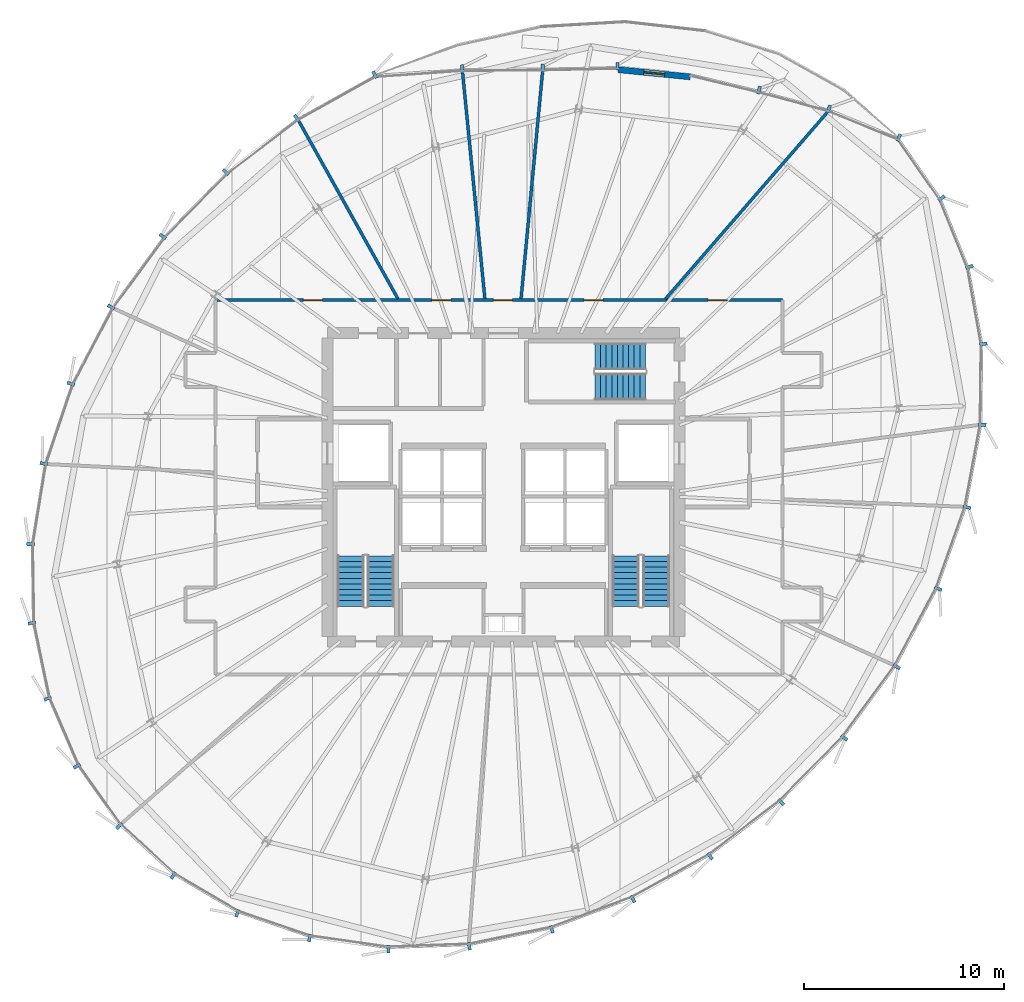
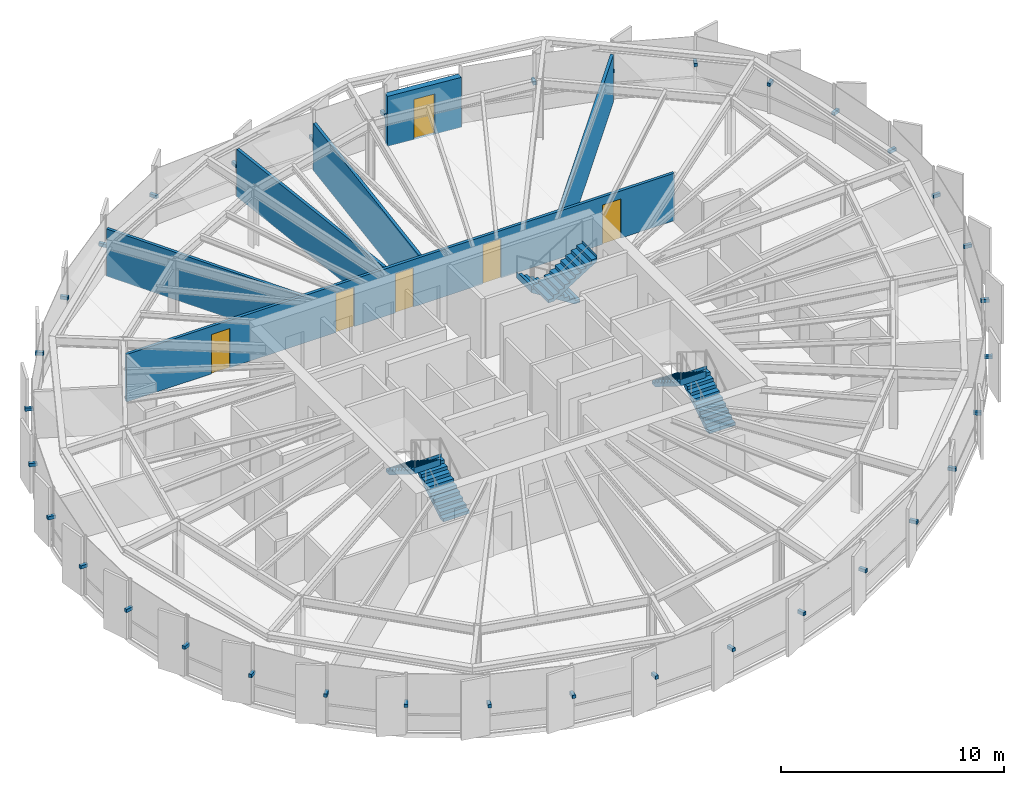
# One storey, part 34 of 37: 35 discrete accessories, 6 doors, 6 stair flights, 6 walls, 6 openings, 3 elements without a shape of their own.
"""IFC4 building model written with IfcOpenShell, lengths in metres."""

from ifc_helpers import new_model, si_unit, direction, frame, frame_2d, origin, origin_2d, place, context, subcontext, project, spatial, polyline, rectangle, outline, extrude, source, transform, mapped, material, layer, layer_set, type_object, element, fill, aggregate, save


model = new_model("IFC4")

# Units and contexts
model_context = context("Model", 3, precision=1e-05, world=origin(), true_north=direction((0.0, 1.0)))
body_context = subcontext(model_context, "Body", "Model", "MODEL_VIEW")
ifc_project = project(units=[si_unit("LENGTHUNIT", "METRE"), si_unit("AREAUNIT", "SQUARE_METRE"), si_unit("VOLUMEUNIT", "CUBIC_METRE"), si_unit("PLANEANGLEUNIT", "RADIAN"), si_unit("MASSUNIT", "GRAM", prefix="KILO"), si_unit("THERMODYNAMICTEMPERATUREUNIT", "KELVIN")], contexts=[model_context])

# Site, building, storey
site_placement = place(None, origin())
site = spatial("IfcSite", under=ifc_project, at=site_placement, CompositionType="ELEMENT")
building_placement = place(site_placement, origin())
building = spatial("IfcBuilding", under=site, at=building_placement, Name="Kethvar Cultural Tower", CompositionType="ELEMENT")
storey_placement = place(building_placement, frame((0.0, 0.0, 200.89990234375)))
storey = spatial("IfcBuildingStorey", under=building, at=storey_placement, Name="L52", CompositionType="ELEMENT", Elevation=200.89990234375)

# Wall, opening, door
ifc_material_1 = material(Name="Concrete C40/50", Category="concrete")
ifc_layer_1 = layer(ifc_material_1, 0.300048828125, Name="Concrete C40/50", Category="concrete")
ifc_layer_set_1 = layer_set([ifc_layer_1], Name="Concrete C40/50 (300 mm)")
wall_type_1 = type_object("IfcWallType", Name="WL-EXT-TER-300", PredefinedType="SOLIDWALL", material=ifc_layer_set_1)
wall_1_placement = place(storey_placement, frame((52.52880859375, 48.6708984375, 0.0), z_axis=(0.0, 0.0, 1.0), x_axis=(0.995043844686, -0.099437151776, 0.0)))
wall_1 = element("IfcWall", 1, at=wall_1_placement, inside=storey, type_object=wall_type_1, Name="L52 Sky Terrace Access Wall", PredefinedType="SOLIDWALL", context=body_context, shape_type="SweptSolid", body=[
    extrude(rectangle(XDim=3.63134765625, YDim=0.300048828125, at=frame_2d((1.815673828125, 0.0))), origin(), (0.0, 0.0, 1.0), 2.735107421875),
])
opening_1_placement = place(wall_1_placement, frame((1.29052734375, 0.0, 0.0)))
opening_1 = element("IfcOpeningElement", 2, at=opening_1_placement, cuts=wall_1, Name="Opening D-L52-T1", PredefinedType="OPENING", context=body_context, shape_type="SweptSolid", body=[
    extrude(rectangle(XDim=1.050048828125, YDim=2.199951171875, at=frame_2d((0.52490234375, 1.10009765625))), frame((0.0, 0.159912109375, 0.0), z_axis=(0.0, -1.0, 0.0), x_axis=(1.0, 0.0, 0.0)), (0.0, 0.0, 1.0), 0.320068359375),
])
ifc_material_2 = material(Name="Aluminium 6063-T6", Category="aluminium")
door_type_1 = type_object("IfcDoorType", Name="DR-EXT-TER-1050", OperationType="NOTDEFINED", PredefinedType="DOOR", material=ifc_material_2)
shared_shape_1 = source(origin(), body_context, "Body", "SweptSolid", [
    extrude(rectangle(XDim=1.050048828125, YDim=2.199951171875, at=frame_2d((0.52490234375, 1.10009765625))), frame((0.0, 0.02490234375, 0.0), z_axis=(0.0, -1.0, 0.0), x_axis=(1.0, 0.0, 0.0)), (0.0, 0.0, 1.0), 0.050048828125),
])
door_1_placement = place(opening_1_placement, origin())
door_1 = element("IfcDoor", 3, at=door_1_placement, inside=storey, type_object=door_type_1, Name="L52 Sky Terrace Access Door D-L52-T1", OperationType="SINGLE_SWING_RIGHT", OverallHeight=2.199951171875, OverallWidth=1.050048828125, PredefinedType="DOOR", context=body_context, shape_type="MappedRepresentation", body=[
    mapped(shared_shape_1, transform((0.0, 0.0, 0.0), scale=1.0)),
])
fill(opening_1, door_1)

# Wall, openings, doors
ifc_material_3 = material(Name="Gypsum Fireboard Partition")
ifc_layer_2 = layer(ifc_material_3, 0.14990234375, Name="Gypsum Fireboard Partition")
ifc_layer_set_2 = layer_set([ifc_layer_2], Name="Gypsum Fireboard Partition (150 mm)")
wall_type_2 = type_object("IfcWallType", Name="WL-FIRE-150", PredefinedType="PARTITIONING", material=ifc_layer_set_2)
wall_2_placement = place(storey_placement, frame((60.75, 37.14990234375, 0.0), z_axis=(0.0, 0.0, 1.0), x_axis=(-1.0, 0.0, 0.0)))
wall_2 = element("IfcWall", 4, at=wall_2_placement, inside=storey, type_object=wall_type_2, Name="L52 Corridor Rated Wall N", PredefinedType="PARTITIONING", context=body_context, shape_type="SweptSolid", body=[
    extrude(rectangle(XDim=28.35009765625, YDim=0.14990234375, at=frame_2d((14.175048828125, 0.0))), origin(), (0.0, 0.0, 1.0), 2.59521484375),
])
opening_2_placement = place(wall_2_placement, frame((2.765869140625, 0.0, 0.0)))
opening_2 = element("IfcOpeningElement", 5, at=opening_2_placement, cuts=wall_2, Name="Opening D-L52-05", PredefinedType="OPENING", context=body_context, shape_type="SweptSolid", body=[
    extrude(rectangle(XDim=0.949951171875, YDim=2.14990234375, at=frame_2d((0.47509765625, 1.074951171875))), frame((0.0, 0.0849609375, 0.0), z_axis=(0.0, -1.0, 0.0), x_axis=(1.0, 0.0, 0.0)), (0.0, 0.0, 1.0), 0.169921875),
])
opening_3_placement = place(wall_2_placement, frame((8.96826171875, 0.0, 0.0)))
opening_3 = element("IfcOpeningElement", 6, at=opening_3_placement, cuts=wall_2, Name="Opening D-L52-06", PredefinedType="OPENING", context=body_context, shape_type="SweptSolid", body=[
    extrude(rectangle(XDim=0.949951171875, YDim=2.14990234375, at=frame_2d((0.47509765625, 1.074951171875))), frame((0.0, 0.0849609375, 0.0), z_axis=(0.0, -1.0, 0.0), x_axis=(1.0, 0.0, 0.0)), (0.0, 0.0, 1.0), 0.169921875),
])
opening_4_placement = place(wall_2_placement, frame((13.496337890625, 0.0, 0.0)))
opening_4 = element("IfcOpeningElement", 7, at=opening_4_placement, cuts=wall_2, Name="Opening D-L52-07", PredefinedType="OPENING", context=body_context, shape_type="SweptSolid", body=[
    extrude(rectangle(XDim=0.949951171875, YDim=2.14990234375, at=frame_2d((0.47509765625, 1.074951171875))), frame((0.0, 0.0849609375, 0.0), z_axis=(0.0, -1.0, 0.0), x_axis=(1.0, 0.0, 0.0)), (0.0, 0.0, 1.0), 0.169921875),
])
opening_5_placement = place(wall_2_placement, frame((16.5712890625, 0.0, 0.0)))
opening_5 = element("IfcOpeningElement", 8, at=opening_5_placement, cuts=wall_2, Name="Opening D-L52-08", PredefinedType="OPENING", context=body_context, shape_type="SweptSolid", body=[
    extrude(rectangle(XDim=0.949951171875, YDim=2.14990234375, at=frame_2d((0.47509765625, 1.074951171875))), frame((0.0, 0.0849609375, 0.0), z_axis=(0.0, -1.0, 0.0), x_axis=(1.0, 0.0, 0.0)), (0.0, 0.0, 1.0), 0.169921875),
])
opening_6_placement = place(wall_2_placement, frame((23.001708984375, 0.0, 0.0)))
opening_6 = element("IfcOpeningElement", 9, at=opening_6_placement, cuts=wall_2, Name="Opening D-L52-09", PredefinedType="OPENING", context=body_context, shape_type="SweptSolid", body=[
    extrude(rectangle(XDim=0.949951171875, YDim=2.14990234375, at=frame_2d((0.47509765625, 1.074951171875))), frame((0.0, 0.0849609375, 0.0), z_axis=(0.0, -1.0, 0.0), x_axis=(1.0, 0.0, 0.0)), (0.0, 0.0, 1.0), 0.169921875),
])
ifc_material_4 = material(Name="Architectural Oak Timber", Category="wood")
door_type_2 = type_object("IfcDoorType", Name="DR-FD30-950", OperationType="NOTDEFINED", PredefinedType="DOOR", material=ifc_material_4)
shared_shape_2 = source(origin(), body_context, "Body", "SweptSolid", [
    extrude(rectangle(XDim=0.949951171875, YDim=2.14990234375, at=frame_2d((0.47509765625, 1.074951171875))), frame((0.0, 0.02490234375, 0.0), z_axis=(0.0, -1.0, 0.0), x_axis=(1.0, 0.0, 0.0)), (0.0, 0.0, 1.0), 0.050048828125),
])
door_2_placement = place(opening_2_placement, origin())
door_2 = element("IfcDoor", 10, at=door_2_placement, inside=storey, type_object=door_type_2, Name="L52 Colloquium Seminar Room 05 Door", OperationType="SINGLE_SWING_LEFT", OverallHeight=2.14990234375, OverallWidth=0.949951171875, PredefinedType="DOOR", context=body_context, shape_type="MappedRepresentation", body=[
    mapped(shared_shape_2, transform((0.0, 0.0, 0.0), scale=1.0)),
])
fill(opening_2, door_2)
door_3_placement = place(opening_3_placement, origin())
door_3 = element("IfcDoor", 11, at=door_3_placement, inside=storey, type_object=door_type_2, Name="L52 Symposium Conference Room 06 Door", OperationType="SINGLE_SWING_RIGHT", OverallHeight=2.14990234375, OverallWidth=0.949951171875, PredefinedType="DOOR", context=body_context, shape_type="MappedRepresentation", body=[
    mapped(shared_shape_2, transform((0.0, 0.0, 0.0), scale=1.0)),
])
fill(opening_3, door_3)
door_4_placement = place(opening_4_placement, origin())
door_4 = element("IfcDoor", 12, at=door_4_placement, inside=storey, type_object=door_type_2, Name="L52 Hospitality Sitting Lounge 07 Door", OperationType="SINGLE_SWING_LEFT", OverallHeight=2.14990234375, OverallWidth=0.949951171875, PredefinedType="DOOR", context=body_context, shape_type="MappedRepresentation", body=[
    mapped(shared_shape_2, transform((0.0, 0.0, 0.0), scale=1.0)),
])
fill(opening_4, door_4)
door_5_placement = place(opening_5_placement, origin())
door_5 = element("IfcDoor", 13, at=door_5_placement, inside=storey, type_object=door_type_2, Name="L52 Scholars' Den Lounge 08 Door", OperationType="SINGLE_SWING_RIGHT", OverallHeight=2.14990234375, OverallWidth=0.949951171875, PredefinedType="DOOR", context=body_context, shape_type="MappedRepresentation", body=[
    mapped(shared_shape_2, transform((0.0, 0.0, 0.0), scale=1.0)),
])
fill(opening_5, door_5)
door_6_placement = place(opening_6_placement, origin())
door_6 = element("IfcDoor", 14, at=door_6_placement, inside=storey, type_object=door_type_2, Name="L52 Laboratory Tea Pantry 09 Door", OperationType="SINGLE_SWING_LEFT", OverallHeight=2.14990234375, OverallWidth=0.949951171875, PredefinedType="DOOR", context=body_context, shape_type="MappedRepresentation", body=[
    mapped(shared_shape_2, transform((0.0, 0.0, 0.0), scale=1.0)),
])
fill(opening_6, door_6)

# Walls
ifc_material_5 = material(Name="Gypsum Acoustic Partition")
ifc_layer_3 = layer(ifc_material_5, 0.14990234375, Name="Gypsum Acoustic Partition")
ifc_layer_set_3 = layer_set([ifc_layer_3], Name="Gypsum Acoustic Partition (150 mm)")
wall_type_3 = type_object("IfcWallType", Name="WL-PART-150", PredefinedType="PARTITIONING", material=ifc_layer_set_3)
wall_3_placement = place(storey_placement, frame((54.900390625, 37.21044921875, 0.0), z_axis=(0.0, 0.0, 1.0), x_axis=(0.655252574178, 0.75540986493, 0.0)))
element("IfcWall", 15, at=wall_3_placement, inside=storey, type_object=wall_type_3, Name="L52 Radial Partition Wall 06", PredefinedType="PARTITIONING", context=body_context, shape_type="SweptSolid", body=[
    extrude(rectangle(XDim=12.322021484375, YDim=0.14990234375, at=frame_2d((6.1611328125, 0.0))), origin(), (0.0, 0.0, 1.0), 2.59521484375),
])
wall_4_placement = place(storey_placement, frame((47.68359375, 37.2294921875, 0.0), z_axis=(0.0, 0.0, 1.0), x_axis=(0.094251326159, 0.995548435546, 0.0)))
element("IfcWall", 16, at=wall_4_placement, inside=storey, type_object=wall_type_3, Name="L52 Radial Partition Wall 07", PredefinedType="PARTITIONING", context=body_context, shape_type="SweptSolid", body=[
    extrude(rectangle(XDim=11.361083984375, YDim=0.14990234375, at=frame_2d((5.6806640625, 0.0))), origin(), (0.0, 0.0, 1.0), 2.59521484375),
])
wall_5_placement = place(storey_placement, frame((45.873291015625, 37.2294921875, 0.0), z_axis=(0.0, 0.0, 1.0), x_axis=(-0.098044940059, 0.995181988246, 0.0)))
element("IfcWall", 17, at=wall_5_placement, inside=storey, type_object=wall_type_3, Name="L52 Radial Partition Wall 08", PredefinedType="PARTITIONING", context=body_context, shape_type="SweptSolid", body=[
    extrude(rectangle(XDim=11.3349609375, YDim=0.14990234375, at=frame_2d((5.66748046875, 0.0))), origin(), (0.0, 0.0, 1.0), 2.59521484375),
])
wall_6_placement = place(storey_placement, frame((41.528076171875, 37.219970703125, 0.0), z_axis=(0.0, 0.0, 1.0), x_axis=(-0.487080330206, 0.873357173169, 0.0)))
element("IfcWall", 18, at=wall_6_placement, inside=storey, type_object=wall_type_3, Name="L52 Radial Partition Wall 09", PredefinedType="PARTITIONING", context=body_context, shape_type="SweptSolid", body=[
    extrude(rectangle(XDim=10.133544921875, YDim=0.14990234375, at=frame_2d((5.06689453125, 0.0))), origin(), (0.0, 0.0, 1.0), 2.59521484375),
])

# Stair, stair flights
stair_type = type_object("IfcStairType", Name="ST-DOGLEG-135", PredefinedType="HALF_TURN_STAIR", material=ifc_material_1)
stair_1_placement = place(storey_placement, origin())
stair_1 = element("IfcStair", 19, at=stair_1_placement, inside=storey, type_object=stair_type, Name="L52 Core Exit Stair 1", PredefinedType="HALF_TURN_STAIR")
stair_flight_type = type_object("IfcStairFlightType", Name="FL-STRAIGHT-135", PredefinedType="STRAIGHT", material=ifc_material_1)
stair_flight_1_placement = place(storey_placement, frame((40.675048828125, 21.85009765625, 0.0), z_axis=(0.0, 0.0, 1.0), x_axis=(0.0, 1.0, 0.0)))
stair_flight_1 = element("IfcStairFlight", 20, at=stair_flight_1_placement, type_object=stair_flight_type, Name="ST-01 flight 1", NumberOfRisers=10, NumberOfTreads=9, PredefinedType="STRAIGHT", RiserHeight=0.175, TreadLength=0.28, context=body_context, shape_type="SweptSolid", body=[
    extrude(outline(polyline([(-0.0009765625, -0.0009765625), (-0.0009765625, 0.175048828125), (0.280029296875, 0.175048828125), (0.280029296875, 0.35009765625), (0.56005859375, 0.35009765625), (0.56005859375, 0.52490234375), (0.840087890625, 0.52490234375), (0.840087890625, 0.699951171875), (1.1201171875, 0.699951171875), (1.1201171875, 0.875), (1.39990234375, 0.875), (1.39990234375, 1.050048828125), (1.679931640625, 1.050048828125), (1.679931640625, 1.22509765625), (1.9599609375, 1.22509765625), (1.9599609375, 1.39990234375), (2.239990234375, 1.39990234375), (2.239990234375, 1.574951171875), (2.52001953125, 1.574951171875), (2.52001953125, 1.75), (2.52099609375, 1.75), (2.52099609375, 1.398193359375), (0.28271484375, 0.0), (0.0, -0.0009765625), (-0.0009765625, -0.0009765625)])), frame((0.0, 0.675048828125, 0.0), z_axis=(0.0, -1.0, 0.0), x_axis=(1.0, 0.0, 0.0)), (0.0, 0.0, 1.0), 1.35009765625),
])
stair_flight_2_placement = place(storey_placement, frame((39.1650390625, 24.3701171875, 1.75), z_axis=(0.0, 0.0, 1.0), x_axis=(0.0, -1.0, 0.0)))
stair_flight_2 = element("IfcStairFlight", 21, at=stair_flight_2_placement, type_object=stair_flight_type, Name="ST-01 flight 2", NumberOfRisers=10, NumberOfTreads=9, PredefinedType="STRAIGHT", RiserHeight=0.175, TreadLength=0.28, context=body_context, shape_type="SweptSolid", body=[
    extrude(outline(polyline([(-0.0009765625, -0.0009765625), (-0.0009765625, 0.175048828125), (0.280029296875, 0.175048828125), (0.280029296875, 0.35009765625), (0.56005859375, 0.35009765625), (0.56005859375, 0.52490234375), (0.840087890625, 0.52490234375), (0.840087890625, 0.699951171875), (1.1201171875, 0.699951171875), (1.1201171875, 0.875), (1.39990234375, 0.875), (1.39990234375, 1.050048828125), (1.679931640625, 1.050048828125), (1.679931640625, 1.22509765625), (1.9599609375, 1.22509765625), (1.9599609375, 1.39990234375), (2.239990234375, 1.39990234375), (2.239990234375, 1.574951171875), (2.52001953125, 1.574951171875), (2.52001953125, 1.75), (2.52099609375, 1.75), (2.52099609375, 1.398193359375), (0.28271484375, 0.0), (0.0, -0.0009765625), (-0.0009765625, -0.0009765625)])), frame((0.0, 0.675048828125, 0.0), z_axis=(0.0, -1.0, 0.0), x_axis=(1.0, 0.0, 0.0)), (0.0, 0.0, 1.0), 1.35009765625),
])
aggregate(stair_1, [stair_flight_1, stair_flight_2])

stair_2_placement = place(storey_placement, origin())
stair_2 = element("IfcStair", 22, at=stair_2_placement, inside=storey, type_object=stair_type, Name="L52 Core Exit Stair 2", PredefinedType="HALF_TURN_STAIR")
stair_flight_3_placement = place(storey_placement, frame((54.43505859375, 21.85009765625, 0.0), z_axis=(0.0, 0.0, 1.0), x_axis=(0.0, 1.0, 0.0)))
stair_flight_3 = element("IfcStairFlight", 23, at=stair_flight_3_placement, type_object=stair_flight_type, Name="ST-02 flight 1", NumberOfRisers=10, NumberOfTreads=9, PredefinedType="STRAIGHT", RiserHeight=0.175, TreadLength=0.28, context=body_context, shape_type="SweptSolid", body=[
    extrude(outline(polyline([(-0.0009765625, -0.0009765625), (-0.0009765625, 0.175048828125), (0.280029296875, 0.175048828125), (0.280029296875, 0.35009765625), (0.56005859375, 0.35009765625), (0.56005859375, 0.52490234375), (0.840087890625, 0.52490234375), (0.840087890625, 0.699951171875), (1.1201171875, 0.699951171875), (1.1201171875, 0.875), (1.39990234375, 0.875), (1.39990234375, 1.050048828125), (1.679931640625, 1.050048828125), (1.679931640625, 1.22509765625), (1.9599609375, 1.22509765625), (1.9599609375, 1.39990234375), (2.239990234375, 1.39990234375), (2.239990234375, 1.574951171875), (2.52001953125, 1.574951171875), (2.52001953125, 1.75), (2.52099609375, 1.75), (2.52099609375, 1.398193359375), (0.28271484375, 0.0), (0.0, -0.0009765625), (-0.0009765625, -0.0009765625)])), frame((0.0, 0.675048828125, 0.0), z_axis=(0.0, -1.0, 0.0), x_axis=(1.0, 0.0, 0.0)), (0.0, 0.0, 1.0), 1.35009765625),
])
stair_flight_4_placement = place(storey_placement, frame((52.925048828125, 24.3701171875, 1.75), z_axis=(0.0, 0.0, 1.0), x_axis=(0.0, -1.0, 0.0)))
stair_flight_4 = element("IfcStairFlight", 24, at=stair_flight_4_placement, type_object=stair_flight_type, Name="ST-02 flight 2", NumberOfRisers=10, NumberOfTreads=9, PredefinedType="STRAIGHT", RiserHeight=0.175, TreadLength=0.28, context=body_context, shape_type="SweptSolid", body=[
    extrude(outline(polyline([(-0.0009765625, -0.0009765625), (-0.0009765625, 0.175048828125), (0.280029296875, 0.175048828125), (0.280029296875, 0.35009765625), (0.56005859375, 0.35009765625), (0.56005859375, 0.52490234375), (0.840087890625, 0.52490234375), (0.840087890625, 0.699951171875), (1.1201171875, 0.699951171875), (1.1201171875, 0.875), (1.39990234375, 0.875), (1.39990234375, 1.050048828125), (1.679931640625, 1.050048828125), (1.679931640625, 1.22509765625), (1.9599609375, 1.22509765625), (1.9599609375, 1.39990234375), (2.239990234375, 1.39990234375), (2.239990234375, 1.574951171875), (2.52001953125, 1.574951171875), (2.52001953125, 1.75), (2.52099609375, 1.75), (2.52099609375, 1.398193359375), (0.28271484375, 0.0), (0.0, -0.0009765625), (-0.0009765625, -0.0009765625)])), frame((0.0, 0.675048828125, 0.0), z_axis=(0.0, -1.0, 0.0), x_axis=(1.0, 0.0, 0.0)), (0.0, 0.0, 1.0), 1.35009765625),
])
aggregate(stair_2, [stair_flight_3, stair_flight_4])

stair_3_placement = place(storey_placement, origin())
stair_3 = element("IfcStair", 25, at=stair_3_placement, inside=storey, type_object=stair_type, Name="L52 Core Exit Stair 3", PredefinedType="HALF_TURN_STAIR")
stair_flight_5_placement = place(storey_placement, frame((53.89990234375, 34.3349609375, 0.0), z_axis=(0.0, 0.0, 1.0), x_axis=(-1.0, 0.0, 0.0)))
stair_flight_5 = element("IfcStairFlight", 26, at=stair_flight_5_placement, type_object=stair_flight_type, Name="ST-03 flight 1", NumberOfRisers=10, NumberOfTreads=9, PredefinedType="STRAIGHT", RiserHeight=0.175, TreadLength=0.28, context=body_context, shape_type="SweptSolid", body=[
    extrude(outline(polyline([(-0.0009765625, -0.0009765625), (-0.0009765625, 0.175048828125), (0.280029296875, 0.175048828125), (0.280029296875, 0.35009765625), (0.56005859375, 0.35009765625), (0.56005859375, 0.52490234375), (0.840087890625, 0.52490234375), (0.840087890625, 0.699951171875), (1.1201171875, 0.699951171875), (1.1201171875, 0.875), (1.39990234375, 0.875), (1.39990234375, 1.050048828125), (1.679931640625, 1.050048828125), (1.679931640625, 1.22509765625), (1.9599609375, 1.22509765625), (1.9599609375, 1.39990234375), (2.239990234375, 1.39990234375), (2.239990234375, 1.574951171875), (2.52001953125, 1.574951171875), (2.52001953125, 1.75), (2.52099609375, 1.75), (2.52099609375, 1.398193359375), (0.28271484375, 0.0), (0.0, -0.0009765625), (-0.0009765625, -0.0009765625)])), frame((0.0, 0.675048828125, 0.0), z_axis=(0.0, -1.0, 0.0), x_axis=(1.0, 0.0, 0.0)), (0.0, 0.0, 1.0), 1.35009765625),
])
stair_flight_6_placement = place(storey_placement, frame((51.3798828125, 32.824951171875, 1.75), z_axis=(0.0, 0.0, 1.0), x_axis=(1.0, 0.0, 0.0)))
stair_flight_6 = element("IfcStairFlight", 27, at=stair_flight_6_placement, type_object=stair_flight_type, Name="ST-03 flight 2", NumberOfRisers=10, NumberOfTreads=9, PredefinedType="STRAIGHT", RiserHeight=0.175, TreadLength=0.28, context=body_context, shape_type="SweptSolid", body=[
    extrude(outline(polyline([(-0.0009765625, -0.0009765625), (-0.0009765625, 0.175048828125), (0.280029296875, 0.175048828125), (0.280029296875, 0.35009765625), (0.56005859375, 0.35009765625), (0.56005859375, 0.52490234375), (0.840087890625, 0.52490234375), (0.840087890625, 0.699951171875), (1.1201171875, 0.699951171875), (1.1201171875, 0.875), (1.39990234375, 0.875), (1.39990234375, 1.050048828125), (1.679931640625, 1.050048828125), (1.679931640625, 1.22509765625), (1.9599609375, 1.22509765625), (1.9599609375, 1.39990234375), (2.239990234375, 1.39990234375), (2.239990234375, 1.574951171875), (2.52001953125, 1.574951171875), (2.52001953125, 1.75), (2.52099609375, 1.75), (2.52099609375, 1.398193359375), (0.28271484375, 0.0), (0.0, -0.0009765625), (-0.0009765625, -0.0009765625)])), frame((0.0, 0.675048828125, 0.0), z_axis=(0.0, -1.0, 0.0), x_axis=(1.0, 0.0, 0.0)), (0.0, 0.0, 1.0), 1.35009765625),
])
aggregate(stair_3, [stair_flight_5, stair_flight_6])

# Discrete accessories
ifc_material_6 = material(Name="Steel S355J2", Category="steel")
discrete_accessory_type = type_object("IfcDiscreteAccessoryType", Name="Steel Fin Bracket BRK-01", PredefinedType="BRACKET", material=ifc_material_6)
shared_shape_3 = source(origin(), body_context, "Body", "SweptSolid", [
    extrude(rectangle(XDim=0.3798828125, YDim=0.159912109375, at=origin_2d()), origin(), (0.0, 0.0, 1.0), 0.179931640625),
])
for number, where, z_axis, x_axis, name in (
    (28, (66.566162109375, 45.278564453125, 1.5400390625), (0.0, 0.0, 1.0), (0.37897166886, 0.925408274331, 0.0), "L52 Terracotta Fin Bracket 1.1"),
    (29, (63.071044921875, 46.710205078125, 1.5400390625), (0.0, 0.0, 1.0), (0.260167479254, 0.965563505285, 0.0), "L52 Terracotta Fin Bracket 1.2"),
    (30, (59.575927734375, 47.652099609375, 1.5400390625), (0.0, 0.0, 1.0), (0.235311748717, 0.971919945734, 0.0), "L52 Terracotta Fin Bracket 1.3"),
    (31, (52.505615234375, 48.83935546875, 1.5400390625), (0.0, 0.0, 1.0), (-0.021291407895, 0.999773312281, 0.0), "L52 Terracotta Fin Bracket 2.1"),
    (32, (48.762939453125, 48.759765625, 1.5400390625), (0.0, 0.0, 1.0), (-0.007679373228, 0.999970513179, 0.0), "L52 Terracotta Fin Bracket 2.2"),
    (33, (44.743896484375, 48.72900390625, 1.5400390625), (0.0, 0.0, 1.0), (-0.069408253958, 0.997588339087, 0.0), "L52 Terracotta Fin Bracket 2.3"),
    (34, (40.364013671875, 48.4228515625, 1.5400390625), (0.0, 0.0, 1.0), (-0.486792819803, 0.873517458663, 0.0), "L52 Terracotta Fin Bracket 2.4"),
    (35, (36.470947265625, 46.252685546875, 1.5400390625), (0.0, 0.0, 1.0), (-0.606127227349, 0.795367703812, 0.0), "L52 Terracotta Fin Bracket 2.5"),
    (36, (32.917724609375, 43.54541015625, 1.5400390625), (0.0, 0.0, 1.0), (-0.713250449154, 0.7009092643, 0.0), "L52 Terracotta Fin Bracket 2.6"),
    (37, (29.770751953125, 40.33447265625, 1.5400390625), (0.0, 0.0, 1.0), (-0.806857219719, 0.590746499768, 0.0), "L52 Terracotta Fin Bracket 3.1"),
    (38, (27.1865234375, 36.8046875, 1.5400390625), (0.0, 0.0, 1.0), (-0.885555832294, 0.464532956732, 0.0), "L52 Terracotta Fin Bracket 3.2"),
    (39, (25.17529296875, 32.97021484375, 1.5400390625), (0.0, 0.0, 1.0), (-0.946986216842, 0.321274189923, 0.0), "L52 Terracotta Fin Bracket 3.3"),
    (40, (23.82080078125, 28.978271484375, 1.5400390625), (0.0, 0.0, 1.0), (-0.986968296657, 0.160914826518, 0.0), "L52 Terracotta Fin Bracket 3.4"),
    (41, (23.16455078125, 24.950439453125, 1.5400390625), (0.0, 0.0, 1.0), (-0.999876632482, -0.015707317312, 0.0), "L52 Terracotta Fin Bracket 3.5"),
    (42, (23.226318359375, 21.009033203125, 1.5400390625), (0.0, 0.0, 1.0), (-0.978974328458, -0.203983490067, 0.0), "L52 Terracotta Fin Bracket 3.6"),
    (43, (24.020263671875, 17.23828125, 1.5400390625), (0.0, 0.0, 1.0), (-0.918446381343, -0.395545502563, 0.0), "L52 Terracotta Fin Bracket 4.1"),
    (44, (25.475830078125, 13.858642578125, 1.5400390625), (0.0, 0.0, 1.0), (-0.816036722469, -0.578000058462, 0.0), "L52 Terracotta Fin Bracket 4.2"),
    (45, (27.594970703125, 10.866943359375, 1.5400390625), (0.0, 0.0, 1.0), (-0.675718876495, -0.737159412846, 0.0), "L52 Terracotta Fin Bracket 4.3"),
    (46, (30.297607421875, 8.39013671875, 1.5400390625), (0.0, 0.0, 1.0), (-0.507538362961, -0.861629160442, 0.0), "L52 Terracotta Fin Bracket 4.4"),
    (47, (33.501953125, 6.5029296875, 1.5400390625), (0.0, 0.0, 1.0), (-0.325073037483, -0.945688913069, 0.0), "L52 Terracotta Fin Bracket 4.5"),
    (48, (37.110107421875, 5.262939453125, 1.5400390625), (0.0, 0.0, 1.0), (-0.140901231938, -0.990023657717, 0.0), "L52 Terracotta Fin Bracket 4.6"),
    (49, (41.05126953125, 4.709228515625, 1.5400390625), (0.0, 0.0, 1.0), (0.035946037002, -0.999353732381, 0.0), "L52 Terracotta Fin Bracket 5.1"),
    (50, (45.090576171875, 4.8544921875, 1.5400390625), (0.0, 0.0, 1.0), (0.200052002278, -0.979785280755, 0.0), "L52 Terracotta Fin Bracket 5.2"),
    (51, (49.220703125, 5.697998046875, 1.5400390625), (0.0, 0.0, 1.0), (0.349880399656, -0.936794377618, 0.0), "L52 Terracotta Fin Bracket 5.3"),
    (52, (53.277099609375, 7.21337890625, 1.5400390625), (0.0, 0.0, 1.0), (0.484962262797, -0.874535078577, 0.0), "L52 Terracotta Fin Bracket 5.4"),
    (53, (57.13671875, 9.353759765625, 1.5400390625), (0.0, 0.0, 1.0), (0.605988400266, -0.795473480855, 0.0), "L52 Terracotta Fin Bracket 5.5"),
    (54, (60.682373046875, 12.0546875, 1.5400390625), (0.0, 0.0, 1.0), (0.713128106547, -0.701033739311, 0.0), "L52 Terracotta Fin Bracket 5.6"),
    (55, (63.8369140625, 15.272216796875, 1.5400390625), (0.0, 0.0, 1.0), (0.805514782715, -0.592575678566, 0.0), "L52 Terracotta Fin Bracket 6.1"),
    (56, (66.45458984375, 18.831298828125, 1.5400390625), (0.0, 0.0, 1.0), (0.882291226435, -0.470703932165, 0.0), "L52 Terracotta Fin Bracket 6.2"),
    (57, (68.531005859375, 22.72314453125, 1.5400390625), (0.0, 0.0, 1.0), (0.94229141257, -0.334793807884, 0.0), "L52 Terracotta Fin Bracket 6.3"),
    (58, (69.97802734375, 26.796875, 1.5400390625), (0.0, 0.0, 1.0), (0.983191235463, -0.182578735093, 0.0), "L52 Terracotta Fin Bracket 6.4"),
    (59, (70.74365234375, 30.9208984375, 1.5400390625), (0.0, 0.0, 1.0), (0.9999274867, -0.01204248075, 0.0), "L52 Terracotta Fin Bracket 6.5"),
    (60, (70.79248046875, 34.959716796875, 1.5400390625), (0.0, 0.0, 1.0), (0.984380510996, 0.17605399618, 0.0), "L52 Terracotta Fin Bracket 6.6"),
    (61, (70.09423828125, 38.814697265625, 1.5400390625), (0.0, 0.0, 1.0), (0.926791059146, 0.375577332499, 0.0), "L52 Terracotta Fin Bracket 7.1"),
    (62, (68.701904296875, 42.25048828125, 1.5400390625), (0.0, 0.0, 1.0), (0.820750575823, 0.571286698852, 0.0), "L52 Terracotta Fin Bracket 7.2"),
):
    element("IfcDiscreteAccessory", number, at=place(storey_placement, frame(where, z_axis=z_axis, x_axis=x_axis)), inside=storey, type_object=discrete_accessory_type, Name=name, PredefinedType="BRACKET", context=body_context, shape_type="MappedRepresentation", body=[
        mapped(shared_shape_3, transform((0.0, 0.0, 0.0), scale=1.0)),
    ])

save(model, "model.ifc")
